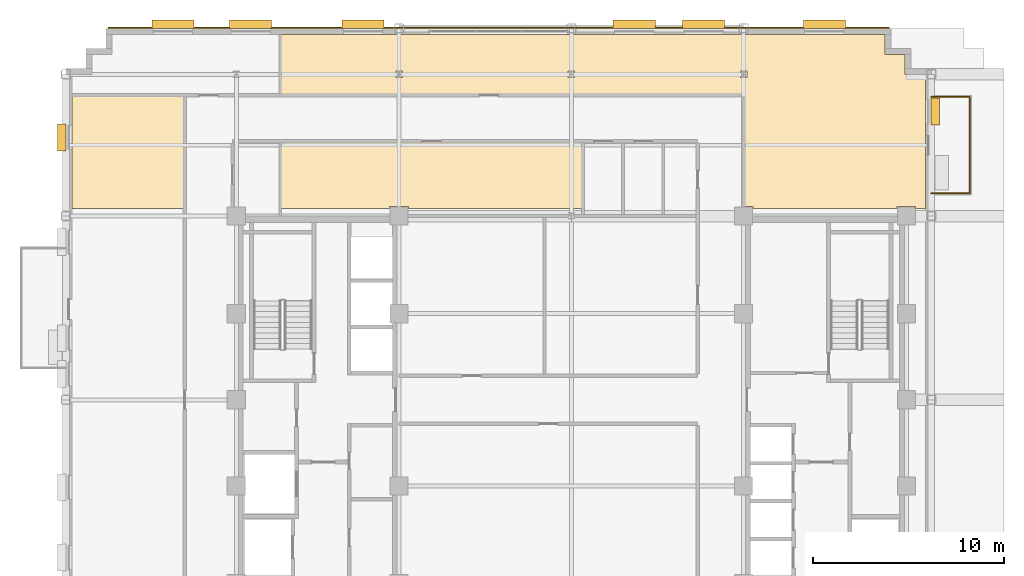
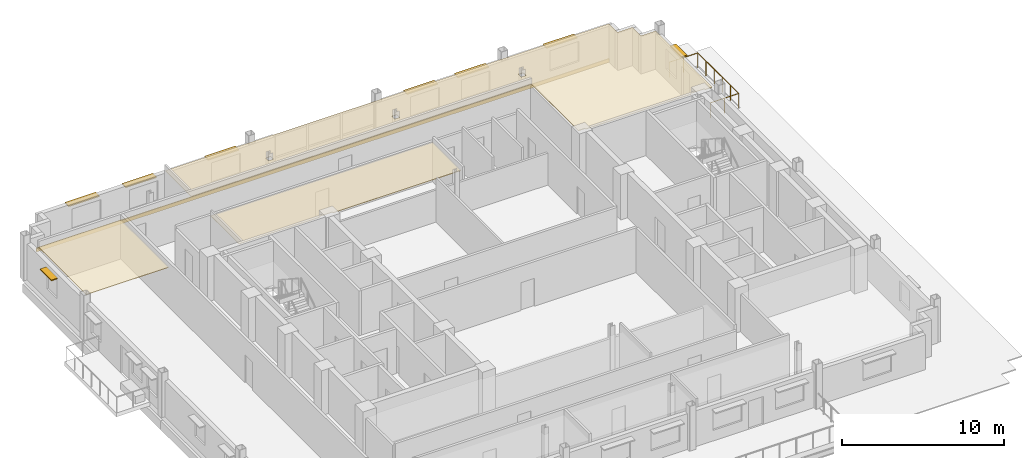
# One storey, part 16 of 16: 8 shading devices, 4 coverings, 1 railing.
"""IFC4 building model written with IfcOpenShell, lengths in metres."""

from ifc_helpers import new_model, si_unit, direction, frame, origin, origin_2d, place, context, subcontext, project, spatial, polyline, rectangle, circle, outline, extrude, source, transform, mapped, material, layer, layer_set, type_object, type_shapes, element, save


model = new_model("IFC4")

# Units and contexts
model_context = context("Model", 3, precision=1e-05, world=origin(), true_north=direction((0.0, 1.0)))
body_context = subcontext(model_context, "Body", "Model", "MODEL_VIEW")
ifc_project = project(units=[si_unit("LENGTHUNIT", "METRE"), si_unit("AREAUNIT", "SQUARE_METRE"), si_unit("VOLUMEUNIT", "CUBIC_METRE"), si_unit("PLANEANGLEUNIT", "RADIAN"), si_unit("MASSUNIT", "GRAM", prefix="KILO")], contexts=[model_context])

# Site, building, storey
site_placement = place(None, origin())
site = spatial("IfcSite", under=ifc_project, at=site_placement, CompositionType="ELEMENT")
building_placement = place(site_placement, origin())
building = spatial("IfcBuilding", under=site, at=building_placement, Name="Nuvemarco Arch Tower", CompositionType="ELEMENT")
storey_placement = place(building_placement, frame((0.0, 0.0, 209.14990234375)))
storey = spatial("IfcBuildingStorey", under=building, at=storey_placement, Name="L55", CompositionType="ELEMENT", Elevation=209.14990234375)

# Coverings
ifc_material_1 = material(Name="Mineral acoustic ceiling tile")
ifc_layer_1 = layer(ifc_material_1, 0.0400390625, Name="COV-ACOUSTIC-CLG")
ifc_layer_set_1 = layer_set([ifc_layer_1], Name="Mineral acoustic ceiling tile")
covering_type_1 = type_object("IfcCoveringType", Name="COV-ACOUSTIC-CLG", PredefinedType="CEILING", material=ifc_layer_set_1)
covering_1_placement = place(storey_placement, frame((0.0, 0.0, 2.85009765625)))
element("IfcCovering", 1, at=covering_1_placement, inside=storey, type_object=covering_type_1, Name="L55 suspended acoustic ceiling 1", PredefinedType="CEILING", context=body_context, shape_type="SweptSolid", body=[
    extrude(outline(polyline([(-20.199951171875, 10.0), (-26.090087890625, 10.0), (-26.090087890625, 15.89990234375), (-20.199951171875, 15.89990234375), (-20.199951171875, 13.5), (-20.199951171875, 10.0)])), origin(), (0.0, 0.0, 1.0), 0.0400390625),
])
covering_2_placement = place(storey_placement, frame((0.0, 0.0, 2.85009765625)))
element("IfcCovering", 2, at=covering_2_placement, inside=storey, type_object=covering_type_1, Name="L55 suspended acoustic ceiling 2", PredefinedType="CEILING", context=body_context, shape_type="SweptSolid", body=[
    extrude(outline(polyline([(17.989990234375, 10.090087890625), (17.010009765625, 10.090087890625), (17.010009765625, 10.0), (9.489990234375, 10.0), (9.489990234375, 10.090087890625), (9.0, 10.090087890625), (9.0, 13.5), (9.0, 15.89990234375), (6.60009765625, 15.89990234375), (-15.2099609375, 15.89990234375), (-15.2099609375, 19.090087890625), (16.389892578125, 19.090087890625), (16.389892578125, 18.0400390625), (17.43994140625, 18.0400390625), (17.43994140625, 16.989990234375), (18.489990234375, 16.989990234375), (18.489990234375, 10.0), (17.989990234375, 10.0), (17.989990234375, 10.090087890625)]), holes=[polyline([(-8.830078125, 17.169921875), (-9.169921875, 17.169921875), (-9.169921875, 16.830078125), (-8.830078125, 16.830078125), (-8.830078125, 17.169921875)]), polyline([(0.169921875, 16.830078125), (0.169921875, 17.169921875), (-0.169921875, 17.169921875), (-0.169921875, 16.830078125), (0.169921875, 16.830078125)]), polyline([(9.169921875, 17.169921875), (8.830078125, 17.169921875), (8.830078125, 16.830078125), (9.169921875, 16.830078125), (9.169921875, 17.169921875)])]), origin(), (0.0, 0.0, 1.0), 0.0400390625),
])
covering_3_placement = place(storey_placement, frame((0.0, 0.0, 2.85009765625)))
element("IfcCovering", 3, at=covering_3_placement, inside=storey, type_object=covering_type_1, Name="L55 suspended acoustic ceiling 5", PredefinedType="CEILING", context=body_context, shape_type="SweptSolid", body=[
    extrude(outline(polyline([(0.60009765625, 10.0), (-8.510009765625, 10.0), (-8.510009765625, 10.090087890625), (-9.489990234375, 10.090087890625), (-9.489990234375, 10.0), (-15.2099609375, 10.0), (-15.2099609375, 13.5), (0.60009765625, 13.5), (0.60009765625, 10.0)])), origin(), (0.0, 0.0, 1.0), 0.0400390625),
])

# Railing
ifc_material_2 = material(Name="Dark anodised balustrade steel S355", Category="steel")
railing_type = type_object("IfcRailingType", Name="RL-TERR-GUARD", PredefinedType="BALUSTRADE", material=ifc_material_2)
railing_placement = place(storey_placement, frame((18.800048828125, 10.780029296875, 0.0)))
element("IfcRailing", 4, at=railing_placement, inside=storey, type_object=railing_type, Name="L55 tree balcony perimeter balustrade guard", PredefinedType="BALUSTRADE", context=body_context, shape_type="SweptSolid", body=[
    extrude(circle(Radius=0.02392578125, at=origin_2d()), frame((0.0, 0.0, 1.1259765625), z_axis=(1.0, 0.0, 0.0), x_axis=(0.0, 1.0, 0.0)), (0.0, 0.0, 1.0), 2.02001953125),
    extrude(circle(Radius=0.02392578125, at=origin_2d()), frame((2.02001953125, 0.0, 1.1259765625), z_axis=(0.0, 1.0, 0.0), x_axis=(-1.0, 0.0, 0.0)), (0.0, 0.0, 1.0), 5.0400390625),
    extrude(circle(Radius=0.02392578125, at=origin_2d()), frame((2.02001953125, 5.0400390625, 1.1259765625), z_axis=(-1.0, 0.0, 0.0), x_axis=(0.0, -1.0, 0.0)), (0.0, 0.0, 1.0), 2.02001953125),
    extrude(circle(Radius=0.02099609375, at=origin_2d()), origin(), (0.0, 0.0, 1.0), 1.101806640625),
    extrude(circle(Radius=0.02099609375, at=origin_2d()), frame((1.010009765625, 0.0, 0.0)), (0.0, 0.0, 1.0), 1.101806640625),
    extrude(circle(Radius=0.02099609375, at=origin_2d()), frame((2.02001953125, 0.0, 0.0)), (0.0, 0.0, 1.0), 1.101806640625),
    extrude(circle(Radius=0.02099609375, at=origin_2d()), frame((2.02001953125, 1.008056640625, 0.0)), (0.0, 0.0, 1.0), 1.101806640625),
    extrude(circle(Radius=0.02099609375, at=origin_2d()), frame((2.02001953125, 2.01611328125, 0.0)), (0.0, 0.0, 1.0), 1.101806640625),
    extrude(circle(Radius=0.02099609375, at=origin_2d()), frame((2.02001953125, 3.02392578125, 0.0)), (0.0, 0.0, 1.0), 1.101806640625),
    extrude(circle(Radius=0.02099609375, at=origin_2d()), frame((2.02001953125, 4.031982421875, 0.0)), (0.0, 0.0, 1.0), 1.101806640625),
    extrude(circle(Radius=0.02099609375, at=origin_2d()), frame((2.02001953125, 5.0400390625, 0.0)), (0.0, 0.0, 1.0), 1.101806640625),
    extrude(circle(Radius=0.02099609375, at=origin_2d()), frame((1.010009765625, 5.0400390625, 0.0)), (0.0, 0.0, 1.0), 1.101806640625),
    extrude(circle(Radius=0.02099609375, at=origin_2d()), frame((0.0, 5.0400390625, 0.0)), (0.0, 0.0, 1.0), 1.101806640625),
])

# Shading devices
ifc_material_3 = material(Name="Anodised aluminium 6063-T6", Category="aluminium")
shading_device_type_1 = type_object("IfcShadingDeviceType", Name="SHD-BRISE-SOLEIL", PredefinedType="USERDEFINED", material=ifc_material_3)
shared_shape_1 = source(origin(), body_context, "Body", "SweptSolid", [
    extrude(rectangle(XDim=2.199951171875, YDim=0.449951171875, at=origin_2d()), origin(), (0.0, 0.0, 1.0), 0.080078125),
])
type_shapes(shading_device_type_1, [shared_shape_1])
for number, where, z_axis, x_axis, name in (
    (5, (-20.816650390625, 19.614990234375, 2.324951171875), (0.0, 0.0, 1.0), (1.0, 0.0, 0.0), "L55 horizontal brise-soleil sunshade"),
    (6, (-16.75, 19.614990234375, 2.324951171875), (0.0, 0.0, 1.0), (1.0, 0.0, 0.0), "L55 horizontal brise-soleil sunshade"),
    (7, (-10.88330078125, 19.614990234375, 2.324951171875), (0.0, 0.0, 1.0), (1.0, 0.0, 0.0), "L55 horizontal brise-soleil sunshade"),
    (8, (3.283203125, 19.614990234375, 2.324951171875), (0.0, 0.0, 1.0), (1.0, 0.0, 0.0), "L55 horizontal brise-soleil sunshade"),
    (9, (6.89990234375, 19.614990234375, 2.324951171875), (0.0, 0.0, 1.0), (1.0, 0.0, 0.0), "L55 horizontal brise-soleil sunshade"),
    (10, (13.216796875, 19.614990234375, 2.324951171875), (0.0, 0.0, 1.0), (1.0, 0.0, 0.0), "L55 horizontal brise-soleil sunshade"),
):
    element("IfcShadingDevice", number, at=place(storey_placement, frame(where, z_axis=z_axis, x_axis=x_axis)), inside=storey, type_object=shading_device_type_1, Name=name, ObjectType="SUNSHADE", PredefinedType="USERDEFINED", context=body_context, shape_type="MappedRepresentation", body=[
        mapped(shared_shape_1, transform((0.0, 0.0, 0.0), scale=1.0)),
    ])
shading_device_type_2 = type_object("IfcShadingDeviceType", Name="SHD-BRISE-NARROW", PredefinedType="USERDEFINED", material=ifc_material_3)
shared_shape_2 = source(origin(), body_context, "Body", "SweptSolid", [
    extrude(rectangle(XDim=1.39990234375, YDim=0.449951171875, at=origin_2d()), origin(), (0.0, 0.0, 1.0), 0.080078125),
])
type_shapes(shading_device_type_2, [shared_shape_2])
for number, where, z_axis, x_axis, name in (
    (11, (19.014892578125, 15.05908203125, 2.324951171875), (0.0, 0.0, 1.0), (0.0, 1.0, 0.0), "L55 horizontal brise-soleil sunshade"),
    (12, (-26.614990234375, 13.708984375, 2.324951171875), (0.0, 0.0, 1.0), (0.0, 1.0, 0.0), "L55 horizontal brise-soleil sunshade"),
):
    element("IfcShadingDevice", number, at=place(storey_placement, frame(where, z_axis=z_axis, x_axis=x_axis)), inside=storey, type_object=shading_device_type_2, Name=name, ObjectType="SUNSHADE", PredefinedType="USERDEFINED", context=body_context, shape_type="MappedRepresentation", body=[
        mapped(shared_shape_2, transform((0.0, 0.0, 0.0), scale=1.0)),
    ])

# Covering
ifc_material_4 = material(Name="Precast concrete C45/55", Category="concrete")
ifc_layer_2 = layer(ifc_material_4, 0.06005859375, Name="COV-SPANDREL-CLAD")
ifc_layer_set_2 = layer_set([ifc_layer_2], Name="Precast concrete C45/55")
covering_type_2 = type_object("IfcCoveringType", Name="COV-SPANDREL-CLAD", PredefinedType="CLADDING", material=ifc_layer_set_2)
shared_shape_3 = source(origin(), body_context, "Body", "SweptSolid", [
    extrude(rectangle(XDim=40.800048828125, YDim=0.06005859375, at=origin_2d()), origin(), (0.0, 0.0, 1.0), 0.280029296875),
])
type_shapes(covering_type_2, [shared_shape_3])
covering_4_placement = place(storey_placement, frame((-3.800048828125, 19.428955078125, -0.27978515625), z_axis=(0.0, 0.0, 1.0), x_axis=(1.0, 0.0, 0.0)))
element("IfcCovering", 13, at=covering_4_placement, inside=storey, type_object=covering_type_2, Name="L55 precast spandrel edge cladding north", PredefinedType="CLADDING", context=body_context, shape_type="MappedRepresentation", body=[
    mapped(shared_shape_3, transform((0.0, 0.0, 0.0), scale=1.0)),
])

save(model, "model.ifc")
